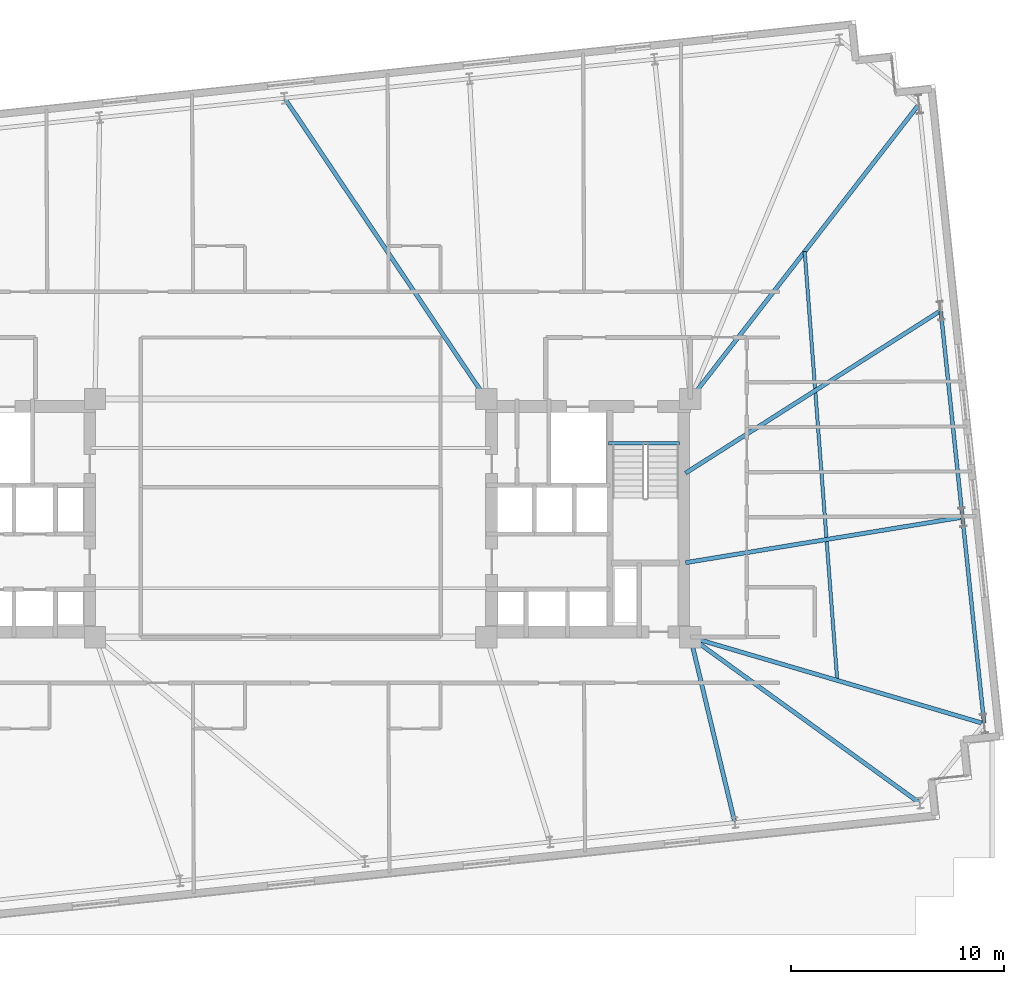
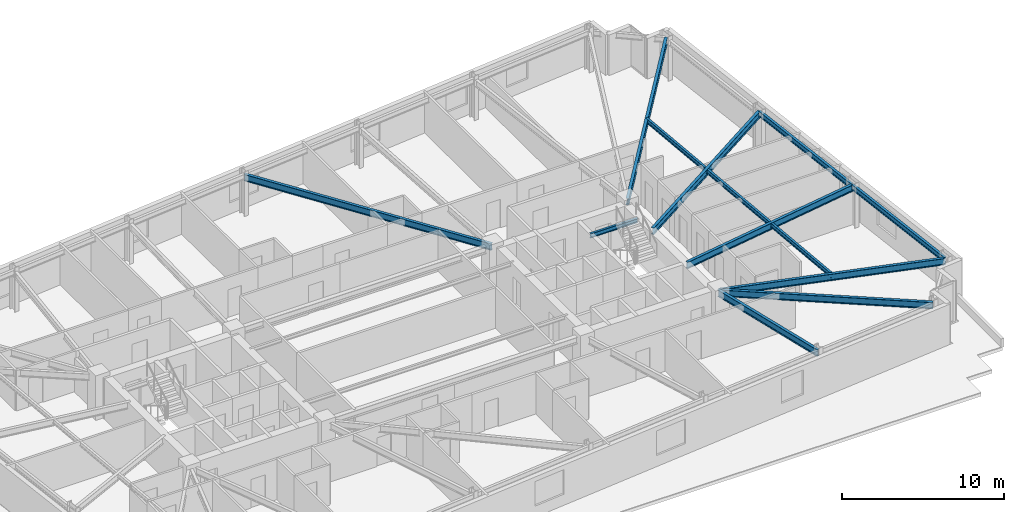
# One storey, part 7 of 20: 11 beams.
"""IFC4 building model written with IfcOpenShell, lengths in metres."""

from ifc_helpers import new_model, si_unit, direction, frame, origin, origin_2d, place, context, subcontext, project, spatial, i_section, extrude, material, material_profile, profile_set, type_object, element, save


model = new_model("IFC4")

# Units and contexts
model_context = context("Model", 3, precision=1e-05, world=origin(), true_north=direction((0.0, 1.0)))
body_context = subcontext(model_context, "Body", "Model", "MODEL_VIEW")
ifc_project = project(units=[si_unit("LENGTHUNIT", "METRE"), si_unit("AREAUNIT", "SQUARE_METRE"), si_unit("VOLUMEUNIT", "CUBIC_METRE"), si_unit("PLANEANGLEUNIT", "RADIAN"), si_unit("MASSUNIT", "GRAM", prefix="KILO")], contexts=[model_context])

# Site, building, storey
site_placement = place(None, origin())
site = spatial("IfcSite", under=ifc_project, at=site_placement, CompositionType="ELEMENT")
building_placement = place(site_placement, origin())
building = spatial("IfcBuilding", under=site, at=building_placement, Name="Qobustan Lattice House", CompositionType="ELEMENT")
storey_placement = place(building_placement, frame((0.0, 0.0, 79.0)))
storey = spatial("IfcBuildingStorey", under=building, at=storey_placement, Name="L21", CompositionType="ELEMENT", Elevation=79.0)

# Beams
ifc_material_1 = material(Name="Steel S355", Category="steel")
ifc_material_profile_1 = material_profile(ifc_material_1, i_section(OverallWidth=0.199951171875, OverallDepth=0.5, WebThickness=0.01025390625, FlangeThickness=0.01611328125, FilletRadius=0.02099609375, at=origin_2d()), Name="IPE500")
ifc_profile_set_1 = profile_set([ifc_material_profile_1], Name="Steel S355")
beam_type_1 = type_object("IfcBeamType", Name="BM-FLG-IPE500", PredefinedType="USERDEFINED", material=ifc_profile_set_1)
beam_1_placement = place(storey_placement, frame((20.885009765625, -14.297607421875, 2.794921875), z_axis=(-0.233107910855, 0.97245087377, 0.0), x_axis=(-0.97245087377, -0.233107910855, 0.0)))
element("IfcBeam", 1, at=beam_1_placement, inside=storey, type_object=beam_type_1, Name="L21 primary floor girder RAD-S6", ObjectType="GIRDER", PredefinedType="USERDEFINED", context=body_context, shape_type="SweptSolid", body=[
    extrude(i_section(OverallWidth=0.199951171875, OverallDepth=0.5, WebThickness=0.01025390625, FlangeThickness=0.01611328125, FilletRadius=0.02099609375, at=origin_2d()), origin(), (0.0, 0.0, 1.0), 8.9189453125),
])
beam_2_placement = place(storey_placement, frame((29.572509765625, -13.392578125, 2.794921875), z_axis=(-0.81023705091, 0.586102313024, 0.0), x_axis=(-0.586102313024, -0.81023705091, 0.0)))
element("IfcBeam", 2, at=beam_2_placement, inside=storey, type_object=beam_type_1, Name="L21 primary floor girder RAD-S7E", ObjectType="GIRDER", PredefinedType="USERDEFINED", context=body_context, shape_type="SweptSolid", body=[
    extrude(i_section(OverallWidth=0.199951171875, OverallDepth=0.5, WebThickness=0.01025390625, FlangeThickness=0.01611328125, FilletRadius=0.02099609375, at=origin_2d()), origin(), (0.0, 0.0, 1.0), 13.2705078125),
])
beam_3_placement = place(storey_placement, frame((-0.272705078125, 19.730224609375, 2.794921875), z_axis=(0.556837669082, -0.830621339896, 0.0), x_axis=(0.830621339896, 0.556837669082, 0.0)))
element("IfcBeam", 3, at=beam_3_placement, inside=storey, type_object=beam_type_1, Name="L21 primary floor girder RAD-N4", ObjectType="GIRDER", PredefinedType="USERDEFINED", context=body_context, shape_type="SweptSolid", body=[
    extrude(i_section(OverallWidth=0.199951171875, OverallDepth=0.5, WebThickness=0.01025390625, FlangeThickness=0.01611328125, FilletRadius=0.02099609375, at=origin_2d()), origin(), (0.0, 0.0, 1.0), 16.986572265625),
])
beam_4_placement = place(storey_placement, frame((29.541015625, 19.44921875, 2.794921875), z_axis=(-0.612860318028, -0.790191262029, 0.0), x_axis=(0.790191262029, -0.612860318028, 0.0)))
element("IfcBeam", 4, at=beam_4_placement, inside=storey, type_object=beam_type_1, Name="L21 primary floor girder RAD-E4", ObjectType="GIRDER", PredefinedType="USERDEFINED", context=body_context, shape_type="SweptSolid", body=[
    extrude(i_section(OverallWidth=0.199951171875, OverallDepth=0.5, WebThickness=0.01025390625, FlangeThickness=0.01611328125, FilletRadius=0.02099609375, at=origin_2d()), origin(), (0.0, 0.0, 1.0), 17.501220703125),
])
beam_5_placement = place(storey_placement, frame((30.555908203125, 9.742431640625, 2.794921875), z_axis=(-0.843584351199, -0.536996687525, 0.0), x_axis=(0.536996687525, -0.843584351199, 0.0)))
element("IfcBeam", 5, at=beam_5_placement, inside=storey, type_object=beam_type_1, Name="L21 primary floor girder RAD-E3", ObjectType="GIRDER", PredefinedType="USERDEFINED", context=body_context, shape_type="SweptSolid", body=[
    extrude(i_section(OverallWidth=0.199951171875, OverallDepth=0.5, WebThickness=0.01025390625, FlangeThickness=0.01611328125, FilletRadius=0.02099609375, at=origin_2d()), origin(), (0.0, 0.0, 1.0), 14.20703125),
])
beam_6_placement = place(storey_placement, frame((31.5732421875, 0.03857421875, 2.794921875), z_axis=(-0.986783828506, -0.162042203761, 0.0), x_axis=(0.162042203761, -0.986783828506, 0.0)))
element("IfcBeam", 6, at=beam_6_placement, inside=storey, type_object=beam_type_1, Name="L21 primary floor girder RAD-E2", ObjectType="GIRDER", PredefinedType="USERDEFINED", context=body_context, shape_type="SweptSolid", body=[
    extrude(i_section(OverallWidth=0.199951171875, OverallDepth=0.5, WebThickness=0.01025390625, FlangeThickness=0.01611328125, FilletRadius=0.02099609375, at=origin_2d()), origin(), (0.0, 0.0, 1.0), 13.172607421875),
])
beam_7_placement = place(storey_placement, frame((32.594970703125, -9.663330078125, 2.794921875), z_axis=(-0.959254941513, 0.282541956499, 0.0), x_axis=(-0.282541956499, -0.959254941513, 0.0)))
element("IfcBeam", 7, at=beam_7_placement, inside=storey, type_object=beam_type_1, Name="L21 primary floor girder RAD-E1", ObjectType="GIRDER", PredefinedType="USERDEFINED", context=body_context, shape_type="SweptSolid", body=[
    extrude(i_section(OverallWidth=0.199951171875, OverallDepth=0.5, WebThickness=0.01025390625, FlangeThickness=0.01611328125, FilletRadius=0.02099609375, at=origin_2d()), origin(), (0.0, 0.0, 1.0), 14.35595703125),
])
ifc_material_2 = material(Name="Steel S355", Category="steel")
ifc_material_profile_2 = material_profile(ifc_material_2, i_section(OverallWidth=0.159912109375, OverallDepth=0.330078125, WebThickness=0.007568359375, FlangeThickness=0.011474609375, FilletRadius=0.01806640625, at=origin_2d()), Name="IPE330")
ifc_profile_set_2 = profile_set([ifc_material_profile_2], Name="Steel S355")
beam_type_2 = type_object("IfcBeamType", Name="BM-SEC-IPE330", PredefinedType="BEAM", material=ifc_profile_set_2)
beam_8_placement = place(storey_placement, frame((24.177978515625, 12.534423828125, 2.8798828125), z_axis=(0.075712576466, -0.997129683524, 0.0), x_axis=(0.997129683524, 0.075712576466, 0.0)))
element("IfcBeam", 8, at=beam_8_placement, inside=storey, type_object=beam_type_2, Name="L21 east wing secondary beam", PredefinedType="BEAM", context=body_context, shape_type="SweptSolid", body=[
    extrude(i_section(OverallWidth=0.159912109375, OverallDepth=0.330078125, WebThickness=0.007568359375, FlangeThickness=0.011474609375, FilletRadius=0.01806640625, at=origin_2d()), origin(), (0.0, 0.0, 1.0), 20.227783203125),
])
ifc_material_3 = material(Name="Steel S355", Category="steel")
ifc_material_profile_3 = material_profile(ifc_material_3, i_section(OverallWidth=0.159912109375, OverallDepth=0.330078125, WebThickness=0.007568359375, FlangeThickness=0.011474609375, FilletRadius=0.01806640625, at=origin_2d()), Name="IPE330")
ifc_profile_set_3 = profile_set([ifc_material_profile_3], Name="Steel S355")
beam_type_3 = type_object("IfcBeamType", Name="BM-SPD-IPE330", PredefinedType="SPANDREL", material=ifc_profile_set_3)
beam_9_placement = place(storey_placement, frame((14.949951171875, 3.52001953125, 2.8798828125), z_axis=(1.0, 0.0, 0.0), x_axis=(0.0, 1.0, 0.0)))
element("IfcBeam", 9, at=beam_9_placement, inside=storey, type_object=beam_type_3, Name="L21 east stair landing trimmer beam", PredefinedType="SPANDREL", context=body_context, shape_type="SweptSolid", body=[
    extrude(i_section(OverallWidth=0.159912109375, OverallDepth=0.330078125, WebThickness=0.007568359375, FlangeThickness=0.011474609375, FilletRadius=0.01806640625, at=origin_2d()), origin(), (0.0, 0.0, 1.0), 3.35009765625),
])
ifc_material_4 = material(Name="Steel S355", Category="steel")
ifc_material_profile_4 = material_profile(ifc_material_4, i_section(OverallWidth=0.179931640625, OverallDepth=0.39990234375, WebThickness=0.008544921875, FlangeThickness=0.013427734375, FilletRadius=0.02099609375, at=origin_2d()), Name="IPE400")
ifc_profile_set_4 = profile_set([ifc_material_profile_4], Name="Steel S355")
beam_type_4 = type_object("IfcBeamType", Name="BM-SPD-IPE400", PredefinedType="SPANDREL", material=ifc_profile_set_4)
for number, where, z_axis, x_axis, name in (
    (10, (32.6162109375, -9.6455078125, 2.844970703125), (-0.104525214252, 0.994522236848, 0.0), (-0.994522236848, -0.104525214252, 0.0), "L21 perimeter spandrel E1-E2"),
    (11, (31.595458984375, 0.067626953125, 2.844970703125), (-0.10455006589, 0.994519624604, 0.0), (-0.994519624604, -0.10455006589, 0.0), "L21 perimeter spandrel E2-E3"),
):
    element("IfcBeam", number, at=place(storey_placement, frame(where, z_axis=z_axis, x_axis=x_axis)), inside=storey, type_object=beam_type_4, Name=name, PredefinedType="SPANDREL", context=body_context, shape_type="SweptSolid", body=[
        extrude(i_section(OverallWidth=0.179931640625, OverallDepth=0.39990234375, WebThickness=0.008544921875, FlangeThickness=0.013427734375, FilletRadius=0.02099609375, at=origin_2d()), origin(), (0.0, 0.0, 1.0), 9.716552734375),
    ])

save(model, "model.ifc")
